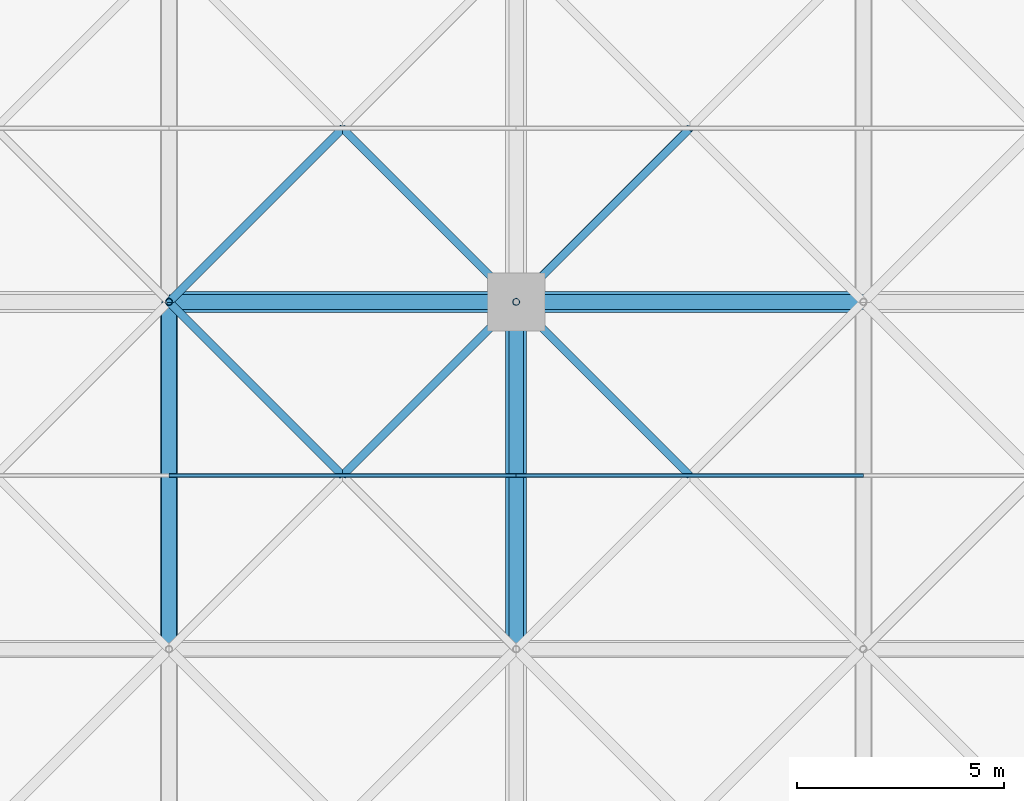
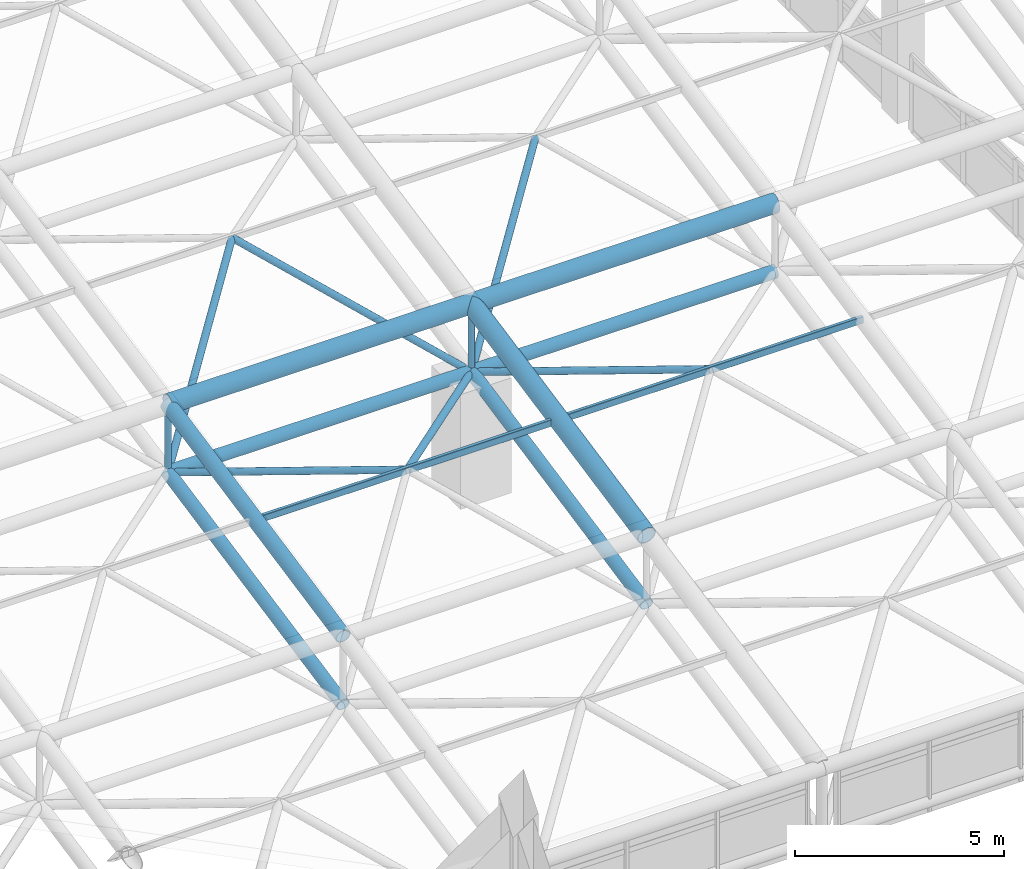
# One storey, part 35 of 110: 18 members.
"""IFC4 building model written with IfcOpenShell, lengths in metres."""

from ifc_helpers import new_model, si_unit, direction, frame, origin, origin_2d, place, context, subcontext, project, spatial, hollow_rectangle, hollow_circle, extrude, material, material_profile, profile_set, type_object, element, save


model = new_model("IFC4")

# Units and contexts
model_context = context("Model", 3, precision=1e-05, world=origin(), true_north=direction((0.0, 1.0)))
body_context = subcontext(model_context, "Body", "Model", "MODEL_VIEW")
ifc_project = project(units=[si_unit("LENGTHUNIT", "METRE"), si_unit("AREAUNIT", "SQUARE_METRE"), si_unit("VOLUMEUNIT", "CUBIC_METRE"), si_unit("PLANEANGLEUNIT", "RADIAN"), si_unit("MASSUNIT", "GRAM", prefix="KILO")], contexts=[model_context])

# Site, building, storey
site_placement = place(None, origin())
site = spatial("IfcSite", under=ifc_project, at=site_placement, CompositionType="ELEMENT")
building_placement = place(site_placement, origin())
building = spatial("IfcBuilding", under=site, at=building_placement, Name="Qawsi Khor Wholesale Market", CompositionType="ELEMENT")
storey_placement = place(building_placement, frame((0.0, 0.0, 11.39990234375)))
storey = spatial("IfcBuildingStorey", under=building, at=storey_placement, Name="L02", CompositionType="ELEMENT", Elevation=11.39990234375)

# Members
ifc_material = material(Name="Steel S355", Category="steel")
ifc_material_profile_1 = material_profile(ifc_material, hollow_circle(Radius=0.177734375, WallThickness=0.01611328125, at=origin_2d()), Name="CHS 355.6x16.0")
ifc_profile_set_1 = profile_set([ifc_material_profile_1], Name="Steel S355")
member_type_1 = type_object("IfcMemberType", Name="Space-Frame Bottom Chord CHS 355.6x16.0", PredefinedType="CHORD", material=ifc_profile_set_1)
member_1_placement = place(storey_placement, frame((193.199951171875, 50.39990234375, 1.670166015625), z_axis=(0.0, 0.98013111127, 0.198350711418), x_axis=(-1.0, 0.0, 0.0)))
element("IfcMember", 1, at=member_1_placement, inside=storey, type_object=member_type_1, Name="Space frame bottom chord Y EH (23,6)", PredefinedType="CHORD", context=body_context, shape_type="SweptSolid", body=[
    extrude(hollow_circle(Radius=0.177734375, WallThickness=0.01611328125, at=origin_2d()), origin(), (0.0, 0.0, 1.0), 8.5703125),
])
member_2_placement = place(storey_placement, frame((193.199951171875, 58.800048828125, 3.3701171875), z_axis=(1.0, 0.0, 0.0), x_axis=(0.0, 1.0, 0.0)))
element("IfcMember", 2, at=member_2_placement, inside=storey, type_object=member_type_1, Name="Space frame bottom chord X EH (23,7)", PredefinedType="CHORD", context=body_context, shape_type="SweptSolid", body=[
    extrude(hollow_circle(Radius=0.177734375, WallThickness=0.01611328125, at=origin_2d()), origin(), (0.0, 0.0, 1.0), 8.400146484375),
])
member_3_placement = place(storey_placement, frame((201.60009765625, 50.39990234375, 1.670166015625), z_axis=(0.0, 0.98013111127, 0.198350711418), x_axis=(-1.0, 0.0, 0.0)))
element("IfcMember", 3, at=member_3_placement, inside=storey, type_object=member_type_1, Name="Space frame bottom chord Y EH (24,6)", PredefinedType="CHORD", context=body_context, shape_type="SweptSolid", body=[
    extrude(hollow_circle(Radius=0.177734375, WallThickness=0.01611328125, at=origin_2d()), origin(), (0.0, 0.0, 1.0), 8.5703125),
])
member_4_placement = place(storey_placement, frame((201.60009765625, 58.800048828125, 3.3701171875), z_axis=(1.0, 0.0, 0.0), x_axis=(0.0, 1.0, 0.0)))
element("IfcMember", 4, at=member_4_placement, inside=storey, type_object=member_type_1, Name="Space frame bottom chord X EH (24,7)", PredefinedType="CHORD", context=body_context, shape_type="SweptSolid", body=[
    extrude(hollow_circle(Radius=0.177734375, WallThickness=0.01611328125, at=origin_2d()), origin(), (0.0, 0.0, 1.0), 8.39990234375),
])
ifc_material_profile_2 = material_profile(ifc_material, hollow_circle(Radius=0.25390625, WallThickness=0.02490234375, at=origin_2d()), Name="CHS 508.0x25.0")
ifc_profile_set_2 = profile_set([ifc_material_profile_2], Name="Steel S355")
member_type_2 = type_object("IfcMemberType", Name="Space-Frame Main Chord CHS 508.0x25.0", PredefinedType="CHORD", material=ifc_profile_set_2)
member_5_placement = place(storey_placement, frame((193.199951171875, 58.800048828125, 5.3701171875), z_axis=(1.0, 0.0, 0.0), x_axis=(0.0, 1.0, 0.0)))
element("IfcMember", 5, at=member_5_placement, inside=storey, type_object=member_type_2, Name="Space frame top chord X EH (23,7)", PredefinedType="CHORD", context=body_context, shape_type="SweptSolid", body=[
    extrude(hollow_circle(Radius=0.25390625, WallThickness=0.02490234375, at=origin_2d()), origin(), (0.0, 0.0, 1.0), 8.400146484375),
])
member_6_placement = place(storey_placement, frame((201.60009765625, 50.39990234375, 3.670166015625), z_axis=(0.0, 0.98013111127, 0.198350711418), x_axis=(-1.0, 0.0, 0.0)))
element("IfcMember", 6, at=member_6_placement, inside=storey, type_object=member_type_2, Name="Space frame top chord Y EH (24,6)", PredefinedType="CHORD", context=body_context, shape_type="SweptSolid", body=[
    extrude(hollow_circle(Radius=0.25390625, WallThickness=0.02490234375, at=origin_2d()), origin(), (0.0, 0.0, 1.0), 8.5703125),
])
member_7_placement = place(storey_placement, frame((201.60009765625, 58.800048828125, 5.3701171875), z_axis=(1.0, 0.0, 0.0), x_axis=(0.0, 1.0, 0.0)))
element("IfcMember", 7, at=member_7_placement, inside=storey, type_object=member_type_2, Name="Space frame top chord X EH (24,7)", PredefinedType="CHORD", context=body_context, shape_type="SweptSolid", body=[
    extrude(hollow_circle(Radius=0.25390625, WallThickness=0.02490234375, at=origin_2d()), origin(), (0.0, 0.0, 1.0), 8.39990234375),
])
ifc_material_profile_3 = material_profile(ifc_material, hollow_rectangle(XDim=0.10009765625, YDim=0.199951171875, WallThickness=0.008056640625, InnerFilletRadius=0.008056640625, OuterFilletRadius=0.01611328125, at=origin_2d()), Name="RHS 200x100x8.0")
ifc_profile_set_3 = profile_set([ifc_material_profile_3], Name="Steel S355")
member_type_3 = type_object("IfcMemberType", Name="Space-Frame Purlin RHS 200x100x8.0", PredefinedType="PURLIN", material=ifc_profile_set_3)
member_8_placement = place(storey_placement, frame((193.199951171875, 54.60009765625, 4.52001953125), z_axis=(1.0, 0.0, 0.0), x_axis=(0.0, 1.0, 0.0)))
element("IfcMember", 8, at=member_8_placement, inside=storey, type_object=member_type_3, Name="Space frame purlin EH (23,6)", PredefinedType="PURLIN", context=body_context, shape_type="SweptSolid", body=[
    extrude(hollow_rectangle(XDim=0.10009765625, YDim=0.199951171875, WallThickness=0.008056640625, InnerFilletRadius=0.008056640625, OuterFilletRadius=0.01611328125, at=origin_2d()), origin(), (0.0, 0.0, 1.0), 8.400146484375),
])
member_9_placement = place(storey_placement, frame((201.60009765625, 54.60009765625, 4.52001953125), z_axis=(1.0, 0.0, 0.0), x_axis=(0.0, 1.0, 0.0)))
element("IfcMember", 9, at=member_9_placement, inside=storey, type_object=member_type_3, Name="Space frame purlin EH (24,6)", PredefinedType="PURLIN", context=body_context, shape_type="SweptSolid", body=[
    extrude(hollow_rectangle(XDim=0.10009765625, YDim=0.199951171875, WallThickness=0.008056640625, InnerFilletRadius=0.008056640625, OuterFilletRadius=0.01611328125, at=origin_2d()), origin(), (0.0, 0.0, 1.0), 8.39990234375),
])
ifc_material_profile_4 = material_profile(ifc_material, hollow_circle(Radius=0.096923828125, WallThickness=0.008056640625, at=origin_2d()), Name="CHS 193.7x8.0")
ifc_profile_set_4 = profile_set([ifc_material_profile_4], Name="Steel S355")
member_type_4 = type_object("IfcMemberType", Name="Space-Frame Secondary Diagonal CHS 193.7x8.0", PredefinedType="RAFTER", material=ifc_profile_set_4)
member_10_placement = place(storey_placement, frame((201.60009765625, 58.800048828125, 3.3701171875), z_axis=(-0.694237619642, -0.694197266374, 0.19006389145), x_axis=(0.70708622964, -0.707127332136, 0.0)))
element("IfcMember", 10, at=member_10_placement, inside=storey, type_object=member_type_4, Name="Space frame diagonal EH (23,6)-3", PredefinedType="RAFTER", context=body_context, shape_type="SweptSolid", body=[
    extrude(hollow_circle(Radius=0.096923828125, WallThickness=0.008056640625, at=origin_2d()), origin(), (0.0, 0.0, 1.0), 6.050048828125),
])
member_11_placement = place(storey_placement, frame((193.199951171875, 58.800048828125, 3.3701171875), z_axis=(0.694216714393, -0.694216714393, 0.190069216113), x_axis=(0.707106781187, 0.707106781187, 0.0)))
element("IfcMember", 11, at=member_11_placement, inside=storey, type_object=member_type_4, Name="Space frame diagonal EH (23,6)-4", PredefinedType="RAFTER", context=body_context, shape_type="SweptSolid", body=[
    extrude(hollow_circle(Radius=0.096923828125, WallThickness=0.008056640625, at=origin_2d()), origin(), (0.0, 0.0, 1.0), 6.0498046875),
])
for number, where, z_axis, x_axis, name in (
    (12, (193.199951171875, 58.800048828125, 3.3701171875), (0.637511741089, 0.637511741089, 0.432617105474), (-0.707106781187, 0.707106781187, 0.0), "Space frame diagonal EH (23,7)-1"),
    (13, (201.60009765625, 58.800048828125, 3.3701171875), (-0.637533737254, 0.637496679957, 0.432606884951), (-0.70708622964, -0.707127332136, 0.0), "Space frame diagonal EH (23,7)-2"),
):
    element("IfcMember", number, at=place(storey_placement, frame(where, z_axis=z_axis, x_axis=x_axis)), inside=storey, type_object=member_type_4, Name=name, PredefinedType="RAFTER", context=body_context, shape_type="SweptSolid", body=[
        extrude(hollow_circle(Radius=0.096923828125, WallThickness=0.008056640625, at=origin_2d()), origin(), (0.0, 0.0, 1.0), 6.588134765625),
    ])
member_12_placement = place(storey_placement, frame((201.60009765625, 58.800048828125, 3.3701171875), z_axis=(0.694216714393, -0.694216714393, 0.190069216113), x_axis=(0.707106781187, 0.707106781187, 0.0)))
element("IfcMember", 14, at=member_12_placement, inside=storey, type_object=member_type_4, Name="Space frame diagonal EH (24,6)-4", PredefinedType="RAFTER", context=body_context, shape_type="SweptSolid", body=[
    extrude(hollow_circle(Radius=0.096923828125, WallThickness=0.008056640625, at=origin_2d()), origin(), (0.0, 0.0, 1.0), 6.0498046875),
])
member_13_placement = place(storey_placement, frame((201.60009765625, 58.800048828125, 3.3701171875), z_axis=(0.637511741089, 0.637511741089, 0.432617105474), x_axis=(-0.707106781187, 0.707106781187, 0.0)))
element("IfcMember", 15, at=member_13_placement, inside=storey, type_object=member_type_4, Name="Space frame diagonal EH (24,7)-1", PredefinedType="RAFTER", context=body_context, shape_type="SweptSolid", body=[
    extrude(hollow_circle(Radius=0.096923828125, WallThickness=0.008056640625, at=origin_2d()), origin(), (0.0, 0.0, 1.0), 6.588134765625),
])
ifc_material_profile_5 = material_profile(ifc_material, hollow_circle(Radius=0.203125, WallThickness=0.02001953125, at=origin_2d()), Name="CHS 406.4x20.0")
ifc_profile_set_5 = profile_set([ifc_material_profile_5], Name="Steel S355")
member_type_5 = type_object("IfcMemberType", Name="Space-Frame Top Chord CHS 406.4x20.0", PredefinedType="CHORD", material=ifc_profile_set_5)
member_14_placement = place(storey_placement, frame((193.199951171875, 50.39990234375, 3.670166015625), z_axis=(0.0, 0.98013111127, 0.198350711418), x_axis=(-1.0, 0.0, 0.0)))
element("IfcMember", 16, at=member_14_placement, inside=storey, type_object=member_type_5, Name="Space frame top chord Y EH (23,6)", PredefinedType="CHORD", context=body_context, shape_type="SweptSolid", body=[
    extrude(hollow_circle(Radius=0.203125, WallThickness=0.02001953125, at=origin_2d()), origin(), (0.0, 0.0, 1.0), 8.5703125),
])
ifc_material_profile_6 = material_profile(ifc_material, hollow_circle(Radius=0.084228515625, WallThickness=0.008056640625, at=origin_2d()), Name="CHS 168.3x8.0")
ifc_profile_set_6 = profile_set([ifc_material_profile_6], Name="Steel S355")
member_type_6 = type_object("IfcMemberType", Name="Space-Frame Vertical Strut CHS 168.3x8.0", PredefinedType="STRUT", material=ifc_profile_set_6)
for number, where, z_axis, x_axis, name in (
    (17, (193.199951171875, 58.800048828125, 3.3701171875), (0.0, 0.0, 1.0), (1.0, 0.0, 0.0), "Space frame post EH (23,7)"),
    (18, (201.60009765625, 58.800048828125, 3.3701171875), (0.0, 0.0, 1.0), (1.0, 0.0, 0.0), "Space frame post EH (24,7)"),
):
    element("IfcMember", number, at=place(storey_placement, frame(where, z_axis=z_axis, x_axis=x_axis)), inside=storey, type_object=member_type_6, Name=name, PredefinedType="STRUT", context=body_context, shape_type="SweptSolid", body=[
        extrude(hollow_circle(Radius=0.084228515625, WallThickness=0.008056640625, at=origin_2d()), origin(), (0.0, 0.0, 1.0), 2.0),
    ])

save(model, "model.ifc")
